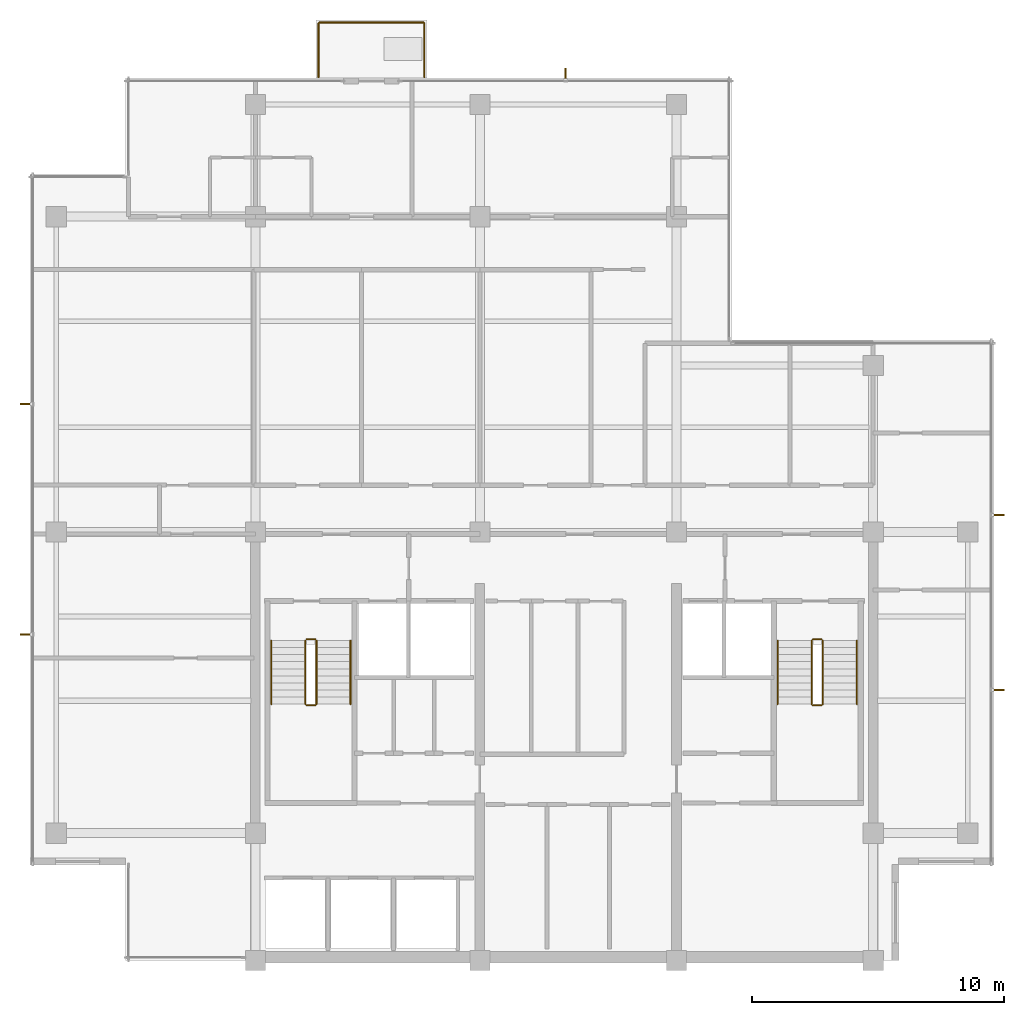
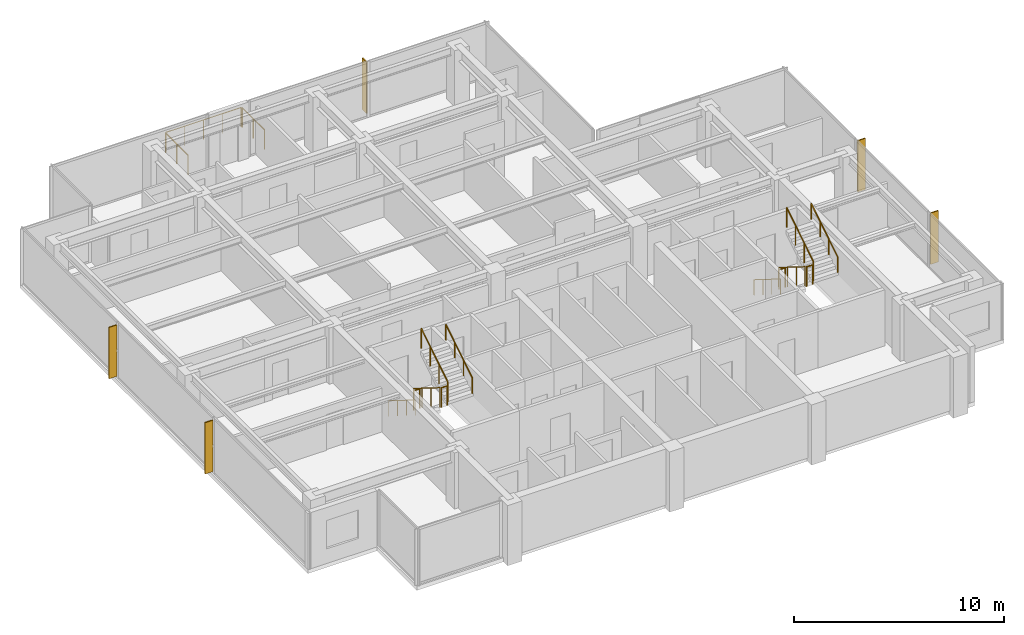
# One storey, part 11 of 11: 15 railings, 5 shading devices.
"""IFC4 building model written with IfcOpenShell, lengths in metres."""

from ifc_helpers import new_model, si_unit, direction, frame, origin, origin_2d, place, context, subcontext, project, spatial, polyline, circle, outline, extrude, material, layer, layer_set, type_object, element, save


model = new_model("IFC4")

# Units and contexts
model_context = context("Model", 3, precision=1e-05, world=origin(), true_north=direction((0.0, 1.0)))
body_context = subcontext(model_context, "Body", "Model", "MODEL_VIEW")
ifc_project = project(units=[si_unit("LENGTHUNIT", "METRE"), si_unit("AREAUNIT", "SQUARE_METRE"), si_unit("VOLUMEUNIT", "CUBIC_METRE"), si_unit("PLANEANGLEUNIT", "RADIAN"), si_unit("MASSUNIT", "GRAM", prefix="KILO")], contexts=[model_context])

# Site, building, storey
site_placement = place(None, origin())
site = spatial("IfcSite", under=ifc_project, at=site_placement, CompositionType="ELEMENT")
building_placement = place(site_placement, origin())
building = spatial("IfcBuilding", under=site, at=building_placement, Name="Qalmaran Belvedere Hotel", CompositionType="ELEMENT")
storey_placement = place(building_placement, frame((0.0, 0.0, 256.39990234375)))
storey = spatial("IfcBuildingStorey", under=building, at=storey_placement, Name="L66", CompositionType="ELEMENT", Elevation=256.39990234375)

# Shading devices
ifc_material_1 = material(Name="Anodised Bronze Aluminium", Category="aluminium")
ifc_layer = layer(ifc_material_1, 0.06494140625, Name="Anodised Bronze Aluminium")
ifc_layer_set = layer_set([ifc_layer], Name="Anodised Bronze Aluminium")
shading_device_type = type_object("IfcShadingDeviceType", Name="FIN-BRNZ-420", PredefinedType="USERDEFINED", material=ifc_layer_set)
shading_device_1_placement = place(storey_placement, frame((0.0, 0.0, 0.16015625)))
element("IfcShadingDevice", 1, at=shading_device_1_placement, inside=storey, type_object=shading_device_type, Name="L66 Bronze Fin 1", ObjectType="FIN", PredefinedType="USERDEFINED", context=body_context, shape_type="SweptSolid", body=[
    extrude(outline(polyline([(49.5673828125, 14.20068359375), (49.987548828125, 14.20068359375), (49.987548828125, 14.265869140625), (49.5673828125, 14.265869140625), (49.5673828125, 14.20068359375)])), origin(), (0.0, 0.0, 1.0), 2.97998046875),
])
shading_device_2_placement = place(storey_placement, frame((0.0, 0.0, 0.16015625)))
element("IfcShadingDevice", 2, at=shading_device_2_placement, inside=storey, type_object=shading_device_type, Name="L66 Bronze Fin 2", ObjectType="FIN", PredefinedType="USERDEFINED", context=body_context, shape_type="SweptSolid", body=[
    extrude(outline(polyline([(49.5673828125, 21.13427734375), (49.987548828125, 21.13427734375), (49.987548828125, 21.19921875), (49.5673828125, 21.19921875), (49.5673828125, 21.13427734375)])), origin(), (0.0, 0.0, 1.0), 2.97998046875),
])
shading_device_3_placement = place(storey_placement, frame((0.0, 0.0, 0.16015625)))
element("IfcShadingDevice", 3, at=shading_device_3_placement, inside=storey, type_object=shading_device_type, Name="L66 Bronze Fin 1", ObjectType="FIN", PredefinedType="USERDEFINED", context=body_context, shape_type="SweptSolid", body=[
    extrude(outline(polyline([(32.632568359375, 38.467529296875), (32.632568359375, 38.887451171875), (32.5673828125, 38.887451171875), (32.5673828125, 38.467529296875), (32.632568359375, 38.467529296875)])), origin(), (0.0, 0.0, 1.0), 2.97998046875),
])
shading_device_4_placement = place(storey_placement, frame((0.0, 0.0, 0.16015625)))
element("IfcShadingDevice", 4, at=shading_device_4_placement, inside=storey, type_object=shading_device_type, Name="L66 Bronze Fin 1", ObjectType="FIN", PredefinedType="USERDEFINED", context=body_context, shape_type="SweptSolid", body=[
    extrude(outline(polyline([(11.382568359375, 25.59912109375), (10.96240234375, 25.59912109375), (10.96240234375, 25.5341796875), (11.382568359375, 25.5341796875), (11.382568359375, 25.59912109375)])), origin(), (0.0, 0.0, 1.0), 2.97998046875),
])
shading_device_5_placement = place(storey_placement, frame((0.0, 0.0, 0.16015625)))
element("IfcShadingDevice", 5, at=shading_device_5_placement, inside=storey, type_object=shading_device_type, Name="L66 Bronze Fin 2", ObjectType="FIN", PredefinedType="USERDEFINED", context=body_context, shape_type="SweptSolid", body=[
    extrude(outline(polyline([(11.382568359375, 16.4658203125), (10.96240234375, 16.4658203125), (10.96240234375, 16.40087890625), (11.382568359375, 16.40087890625), (11.382568359375, 16.4658203125)])), origin(), (0.0, 0.0, 1.0), 2.97998046875),
])

# Railings
railing_type_1 = type_object("IfcRailingType", Name="GRD-BAL-1150", PredefinedType="BALUSTRADE", material=ifc_material_1)
railing_1_placement = place(storey_placement, frame((22.800048828125, 38.534912109375, 0.0)))
element("IfcRailing", 6, at=railing_1_placement, inside=storey, type_object=railing_type_1, Name="L66 Guardrail BAL-L66-N-1", PredefinedType="BALUSTRADE", context=body_context, shape_type="SweptSolid", body=[
    extrude(circle(Radius=0.02392578125, at=origin_2d()), frame((0.0, 0.0, 1.1259765625), z_axis=(0.0, 1.0, 0.0), x_axis=(-1.0, 0.0, 0.0)), (0.0, 0.0, 1.0), 2.130126953125),
    extrude(circle(Radius=0.02099609375, at=origin_2d()), origin(), (0.0, 0.0, 1.0), 1.101806640625),
    extrude(circle(Radius=0.02099609375, at=origin_2d()), frame((0.0, 1.06494140625, 0.0)), (0.0, 0.0, 1.0), 1.101806640625),
    extrude(circle(Radius=0.02099609375, at=origin_2d()), frame((0.0, 2.130126953125, 0.0)), (0.0, 0.0, 1.0), 1.101806640625),
])
railing_2_placement = place(storey_placement, frame((22.8349609375, 40.699951171875, 0.0)))
element("IfcRailing", 7, at=railing_2_placement, inside=storey, type_object=railing_type_1, Name="L66 Guardrail BAL-L66-N-2", PredefinedType="BALUSTRADE", context=body_context, shape_type="SweptSolid", body=[
    extrude(circle(Radius=0.02392578125, at=origin_2d()), frame((0.0, 0.0, 1.1259765625), z_axis=(1.0, 0.0, 0.0), x_axis=(0.0, 1.0, 0.0)), (0.0, 0.0, 1.0), 4.130126953125),
    extrude(circle(Radius=0.02099609375, at=origin_2d()), origin(), (0.0, 0.0, 1.0), 1.101806640625),
    extrude(circle(Radius=0.02099609375, at=origin_2d()), frame((1.032470703125, 0.0, 0.0)), (0.0, 0.0, 1.0), 1.101806640625),
    extrude(circle(Radius=0.02099609375, at=origin_2d()), frame((2.06494140625, 0.0, 0.0)), (0.0, 0.0, 1.0), 1.101806640625),
    extrude(circle(Radius=0.02099609375, at=origin_2d()), frame((3.09765625, 0.0, 0.0)), (0.0, 0.0, 1.0), 1.101806640625),
    extrude(circle(Radius=0.02099609375, at=origin_2d()), frame((4.130126953125, 0.0, 0.0)), (0.0, 0.0, 1.0), 1.101806640625),
])
railing_3_placement = place(storey_placement, frame((27.0, 40.6650390625, 0.0)))
element("IfcRailing", 8, at=railing_3_placement, inside=storey, type_object=railing_type_1, Name="L66 Guardrail BAL-L66-N-3", PredefinedType="BALUSTRADE", context=body_context, shape_type="SweptSolid", body=[
    extrude(circle(Radius=0.02392578125, at=origin_2d()), frame((0.0, 0.0, 1.1259765625), z_axis=(0.0, -1.0, 0.0), x_axis=(1.0, 0.0, 0.0)), (0.0, 0.0, 1.0), 2.130126953125),
    extrude(circle(Radius=0.02099609375, at=origin_2d()), origin(), (0.0, 0.0, 1.0), 1.101806640625),
    extrude(circle(Radius=0.02099609375, at=origin_2d()), frame((0.0, -1.06494140625, 0.0)), (0.0, 0.0, 1.0), 1.101806640625),
    extrude(circle(Radius=0.02099609375, at=origin_2d()), frame((0.0, -2.130126953125, 0.0)), (0.0, 0.0, 1.0), 1.101806640625),
])
ifc_material_2 = material(Name="Stainless Steel 1.4401", Category="steel")
railing_type_2 = type_object("IfcRailingType", Name="RLG-STAIR-GUARD-1150", PredefinedType="GUARDRAIL", material=ifc_material_2)
railing_4_placement = place(storey_placement, frame((22.280029296875, 16.18994140625, 0.175048828125)))
element("IfcRailing", 9, at=railing_4_placement, inside=storey, type_object=railing_type_2, Name="L66 ST-1 stair guard 1", PredefinedType="GUARDRAIL", context=body_context, shape_type="SweptSolid", body=[
    extrude(circle(Radius=0.02392578125, at=origin_2d()), frame((0.0, 0.0, 1.1259765625), z_axis=(0.0, -0.848007534815, 0.529984170421), x_axis=(1.0, 0.0, 0.0)), (0.0, 0.0, 1.0), 2.9716796875),
    extrude(circle(Radius=0.02099609375, at=origin_2d()), origin(), (0.0, 0.0, 1.0), 1.101806640625),
    extrude(circle(Radius=0.02099609375, at=origin_2d()), frame((0.0, -0.840087890625, 0.52490234375)), (0.0, 0.0, 1.0), 1.101806640625),
    extrude(circle(Radius=0.02099609375, at=origin_2d()), frame((0.0, -1.679931640625, 1.050048828125)), (0.0, 0.0, 1.0), 1.101806640625),
    extrude(circle(Radius=0.02099609375, at=origin_2d()), frame((0.0, -2.52001953125, 1.574951171875)), (0.0, 0.0, 1.0), 1.101806640625),
])
railing_5_placement = place(storey_placement, frame((22.330078125, 13.6201171875, 1.75)))
element("IfcRailing", 10, at=railing_5_placement, inside=storey, type_object=railing_type_2, Name="L66 ST-1 stair guard 2", PredefinedType="GUARDRAIL", context=body_context, shape_type="SweptSolid", body=[
    extrude(circle(Radius=0.02392578125, at=origin_2d()), frame((0.0, 0.0, 1.1259765625), z_axis=(1.0, 0.0, 0.0), x_axis=(0.0, 1.0, 0.0)), (0.0, 0.0, 1.0), 0.33984375),
    extrude(circle(Radius=0.02099609375, at=origin_2d()), origin(), (0.0, 0.0, 1.0), 1.101806640625),
    extrude(circle(Radius=0.02099609375, at=origin_2d()), frame((0.33984375, 0.0, 0.0)), (0.0, 0.0, 1.0), 1.101806640625),
])
railing_6_placement = place(storey_placement, frame((22.719970703125, 13.669921875, 1.925048828125)))
element("IfcRailing", 11, at=railing_6_placement, inside=storey, type_object=railing_type_2, Name="L66 ST-1 stair guard 3", PredefinedType="GUARDRAIL", context=body_context, shape_type="SweptSolid", body=[
    extrude(circle(Radius=0.02392578125, at=origin_2d()), frame((0.0, 0.0, 1.1259765625), z_axis=(0.0, 0.848007534815, 0.529984170421), x_axis=(-1.0, 0.0, 0.0)), (0.0, 0.0, 1.0), 2.9716796875),
    extrude(circle(Radius=0.02099609375, at=origin_2d()), origin(), (0.0, 0.0, 1.0), 1.101806640625),
    extrude(circle(Radius=0.02099609375, at=origin_2d()), frame((0.0, 0.840087890625, 0.52490234375)), (0.0, 0.0, 1.0), 1.101806640625),
    extrude(circle(Radius=0.02099609375, at=origin_2d()), frame((0.0, 1.679931640625, 1.050048828125)), (0.0, 0.0, 1.0), 1.101806640625),
    extrude(circle(Radius=0.02099609375, at=origin_2d()), frame((0.0, 2.52001953125, 1.574951171875)), (0.0, 0.0, 1.0), 1.101806640625),
])
railing_7_placement = place(storey_placement, frame((22.330078125, 16.239990234375, 0.0)))
element("IfcRailing", 12, at=railing_7_placement, inside=storey, type_object=railing_type_2, Name="L66 ST-1 stair guard 4", PredefinedType="GUARDRAIL", context=body_context, shape_type="SweptSolid", body=[
    extrude(circle(Radius=0.02392578125, at=origin_2d()), frame((0.0, 0.0, 1.1259765625), z_axis=(1.0, 0.0, 0.0), x_axis=(0.0, 1.0, 0.0)), (0.0, 0.0, 1.0), 0.33984375),
    extrude(circle(Radius=0.02099609375, at=origin_2d()), origin(), (0.0, 0.0, 1.0), 1.101806640625),
    extrude(circle(Radius=0.02099609375, at=origin_2d()), frame((0.33984375, 0.0, 0.0)), (0.0, 0.0, 1.0), 1.101806640625),
])
railing_8_placement = place(storey_placement, frame((42.360107421875, 16.18994140625, 0.175048828125)))
element("IfcRailing", 13, at=railing_8_placement, inside=storey, type_object=railing_type_2, Name="L66 ST-2 stair guard 1", PredefinedType="GUARDRAIL", context=body_context, shape_type="SweptSolid", body=[
    extrude(circle(Radius=0.02392578125, at=origin_2d()), frame((0.0, 0.0, 1.1259765625), z_axis=(0.0, -0.848007534815, 0.529984170421), x_axis=(1.0, 0.0, 0.0)), (0.0, 0.0, 1.0), 2.9716796875),
    extrude(circle(Radius=0.02099609375, at=origin_2d()), origin(), (0.0, 0.0, 1.0), 1.101806640625),
    extrude(circle(Radius=0.02099609375, at=origin_2d()), frame((0.0, -0.840087890625, 0.52490234375)), (0.0, 0.0, 1.0), 1.101806640625),
    extrude(circle(Radius=0.02099609375, at=origin_2d()), frame((0.0, -1.679931640625, 1.050048828125)), (0.0, 0.0, 1.0), 1.101806640625),
    extrude(circle(Radius=0.02099609375, at=origin_2d()), frame((0.0, -2.52001953125, 1.574951171875)), (0.0, 0.0, 1.0), 1.101806640625),
])
railing_9_placement = place(storey_placement, frame((42.409912109375, 13.6201171875, 1.75)))
element("IfcRailing", 14, at=railing_9_placement, inside=storey, type_object=railing_type_2, Name="L66 ST-2 stair guard 2", PredefinedType="GUARDRAIL", context=body_context, shape_type="SweptSolid", body=[
    extrude(circle(Radius=0.02392578125, at=origin_2d()), frame((0.0, 0.0, 1.1259765625), z_axis=(1.0, 0.0, 0.0), x_axis=(0.0, 1.0, 0.0)), (0.0, 0.0, 1.0), 0.340087890625),
    extrude(circle(Radius=0.02099609375, at=origin_2d()), origin(), (0.0, 0.0, 1.0), 1.101806640625),
    extrude(circle(Radius=0.02099609375, at=origin_2d()), frame((0.340087890625, 0.0, 0.0)), (0.0, 0.0, 1.0), 1.101806640625),
])
railing_10_placement = place(storey_placement, frame((42.800048828125, 13.669921875, 1.925048828125)))
element("IfcRailing", 15, at=railing_10_placement, inside=storey, type_object=railing_type_2, Name="L66 ST-2 stair guard 3", PredefinedType="GUARDRAIL", context=body_context, shape_type="SweptSolid", body=[
    extrude(circle(Radius=0.02392578125, at=origin_2d()), frame((0.0, 0.0, 1.1259765625), z_axis=(0.0, 0.848007534815, 0.529984170421), x_axis=(-1.0, 0.0, 0.0)), (0.0, 0.0, 1.0), 2.9716796875),
    extrude(circle(Radius=0.02099609375, at=origin_2d()), origin(), (0.0, 0.0, 1.0), 1.101806640625),
    extrude(circle(Radius=0.02099609375, at=origin_2d()), frame((0.0, 0.840087890625, 0.52490234375)), (0.0, 0.0, 1.0), 1.101806640625),
    extrude(circle(Radius=0.02099609375, at=origin_2d()), frame((0.0, 1.679931640625, 1.050048828125)), (0.0, 0.0, 1.0), 1.101806640625),
    extrude(circle(Radius=0.02099609375, at=origin_2d()), frame((0.0, 2.52001953125, 1.574951171875)), (0.0, 0.0, 1.0), 1.101806640625),
])
railing_11_placement = place(storey_placement, frame((42.409912109375, 16.239990234375, 0.0)))
element("IfcRailing", 16, at=railing_11_placement, inside=storey, type_object=railing_type_2, Name="L66 ST-2 stair guard 4", PredefinedType="GUARDRAIL", context=body_context, shape_type="SweptSolid", body=[
    extrude(circle(Radius=0.02392578125, at=origin_2d()), frame((0.0, 0.0, 1.1259765625), z_axis=(1.0, 0.0, 0.0), x_axis=(0.0, 1.0, 0.0)), (0.0, 0.0, 1.0), 0.340087890625),
    extrude(circle(Radius=0.02099609375, at=origin_2d()), origin(), (0.0, 0.0, 1.0), 1.101806640625),
    extrude(circle(Radius=0.02099609375, at=origin_2d()), frame((0.340087890625, 0.0, 0.0)), (0.0, 0.0, 1.0), 1.101806640625),
])
railing_type_3 = type_object("IfcRailingType", Name="RLG-STAIR-HAND-910", PredefinedType="HANDRAIL", material=ifc_material_2)
railing_12_placement = place(storey_placement, frame((20.929931640625, 16.18994140625, 0.175048828125)))
element("IfcRailing", 17, at=railing_12_placement, inside=storey, type_object=railing_type_3, Name="L66 ST-1 stair handrail 1", PredefinedType="HANDRAIL", context=body_context, shape_type="SweptSolid", body=[
    extrude(circle(Radius=0.02392578125, at=origin_2d()), frame((0.0, 0.0, 0.8857421875), z_axis=(0.0, -0.848007534815, 0.529984170421), x_axis=(1.0, 0.0, 0.0)), (0.0, 0.0, 1.0), 2.9716796875),
    extrude(circle(Radius=0.02099609375, at=origin_2d()), origin(), (0.0, 0.0, 1.0), 0.86181640625),
    extrude(circle(Radius=0.02099609375, at=origin_2d()), frame((0.0, -0.840087890625, 0.52490234375)), (0.0, 0.0, 1.0), 0.86181640625),
    extrude(circle(Radius=0.02099609375, at=origin_2d()), frame((0.0, -1.679931640625, 1.050048828125)), (0.0, 0.0, 1.0), 0.86181640625),
    extrude(circle(Radius=0.02099609375, at=origin_2d()), frame((0.0, -2.52001953125, 1.574951171875)), (0.0, 0.0, 1.0), 0.86181640625),
])
railing_13_placement = place(storey_placement, frame((24.070068359375, 13.669921875, 1.925048828125)))
element("IfcRailing", 18, at=railing_13_placement, inside=storey, type_object=railing_type_3, Name="L66 ST-1 stair handrail 2", PredefinedType="HANDRAIL", context=body_context, shape_type="SweptSolid", body=[
    extrude(circle(Radius=0.02392578125, at=origin_2d()), frame((0.0, 0.0, 0.8857421875), z_axis=(0.0, 0.848007534815, 0.529984170421), x_axis=(-1.0, 0.0, 0.0)), (0.0, 0.0, 1.0), 2.9716796875),
    extrude(circle(Radius=0.02099609375, at=origin_2d()), origin(), (0.0, 0.0, 1.0), 0.86181640625),
    extrude(circle(Radius=0.02099609375, at=origin_2d()), frame((0.0, 0.840087890625, 0.52490234375)), (0.0, 0.0, 1.0), 0.86181640625),
    extrude(circle(Radius=0.02099609375, at=origin_2d()), frame((0.0, 1.679931640625, 1.050048828125)), (0.0, 0.0, 1.0), 0.86181640625),
    extrude(circle(Radius=0.02099609375, at=origin_2d()), frame((0.0, 2.52001953125, 1.574951171875)), (0.0, 0.0, 1.0), 0.86181640625),
])
railing_14_placement = place(storey_placement, frame((41.010009765625, 16.18994140625, 0.175048828125)))
element("IfcRailing", 19, at=railing_14_placement, inside=storey, type_object=railing_type_3, Name="L66 ST-2 stair handrail 1", PredefinedType="HANDRAIL", context=body_context, shape_type="SweptSolid", body=[
    extrude(circle(Radius=0.02392578125, at=origin_2d()), frame((0.0, 0.0, 0.8857421875), z_axis=(0.0, -0.848007534815, 0.529984170421), x_axis=(1.0, 0.0, 0.0)), (0.0, 0.0, 1.0), 2.9716796875),
    extrude(circle(Radius=0.02099609375, at=origin_2d()), origin(), (0.0, 0.0, 1.0), 0.86181640625),
    extrude(circle(Radius=0.02099609375, at=origin_2d()), frame((0.0, -0.840087890625, 0.52490234375)), (0.0, 0.0, 1.0), 0.86181640625),
    extrude(circle(Radius=0.02099609375, at=origin_2d()), frame((0.0, -1.679931640625, 1.050048828125)), (0.0, 0.0, 1.0), 0.86181640625),
    extrude(circle(Radius=0.02099609375, at=origin_2d()), frame((0.0, -2.52001953125, 1.574951171875)), (0.0, 0.0, 1.0), 0.86181640625),
])
railing_15_placement = place(storey_placement, frame((44.14990234375, 13.669921875, 1.925048828125)))
element("IfcRailing", 20, at=railing_15_placement, inside=storey, type_object=railing_type_3, Name="L66 ST-2 stair handrail 2", PredefinedType="HANDRAIL", context=body_context, shape_type="SweptSolid", body=[
    extrude(circle(Radius=0.02392578125, at=origin_2d()), frame((0.0, 0.0, 0.8857421875), z_axis=(0.0, 0.848007534815, 0.529984170421), x_axis=(-1.0, 0.0, 0.0)), (0.0, 0.0, 1.0), 2.9716796875),
    extrude(circle(Radius=0.02099609375, at=origin_2d()), origin(), (0.0, 0.0, 1.0), 0.86181640625),
    extrude(circle(Radius=0.02099609375, at=origin_2d()), frame((0.0, 0.840087890625, 0.52490234375)), (0.0, 0.0, 1.0), 0.86181640625),
    extrude(circle(Radius=0.02099609375, at=origin_2d()), frame((0.0, 1.679931640625, 1.050048828125)), (0.0, 0.0, 1.0), 0.86181640625),
    extrude(circle(Radius=0.02099609375, at=origin_2d()), frame((0.0, 2.52001953125, 1.574951171875)), (0.0, 0.0, 1.0), 0.86181640625),
])

save(model, "model.ifc")
